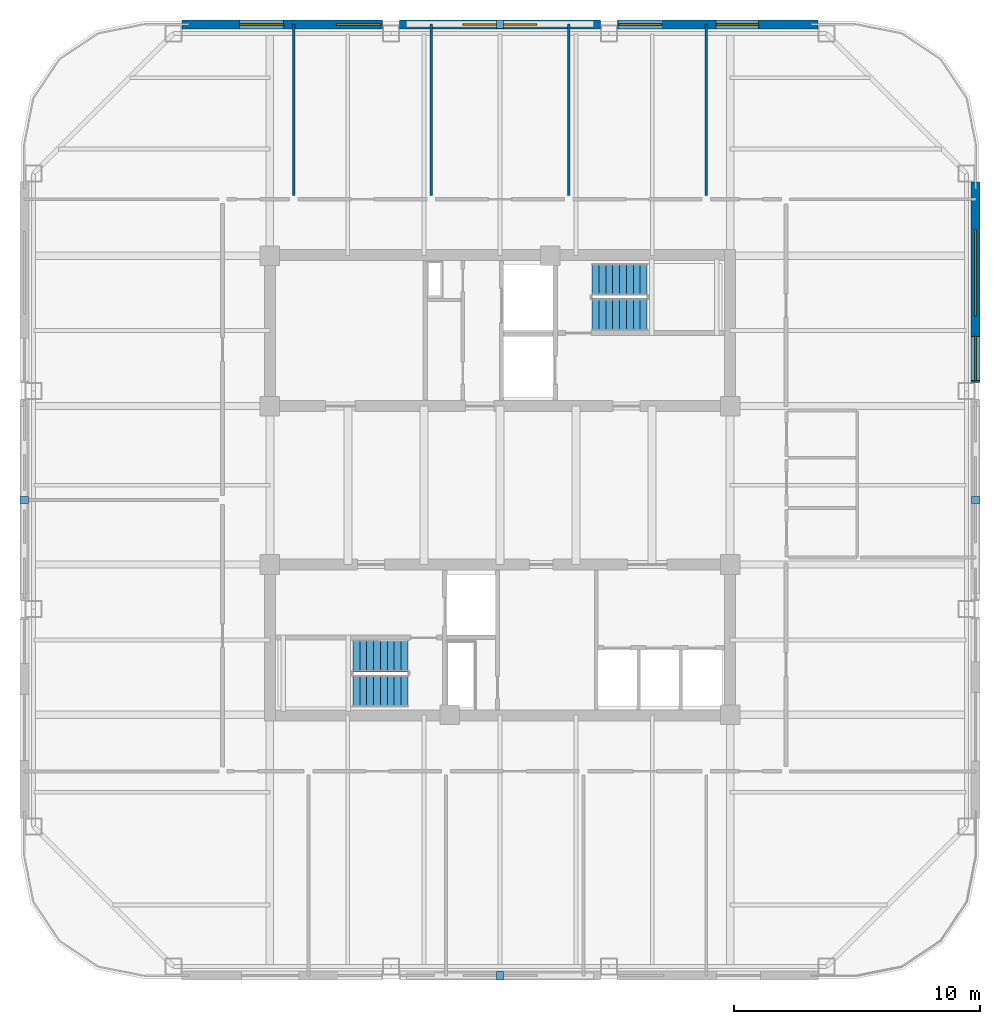
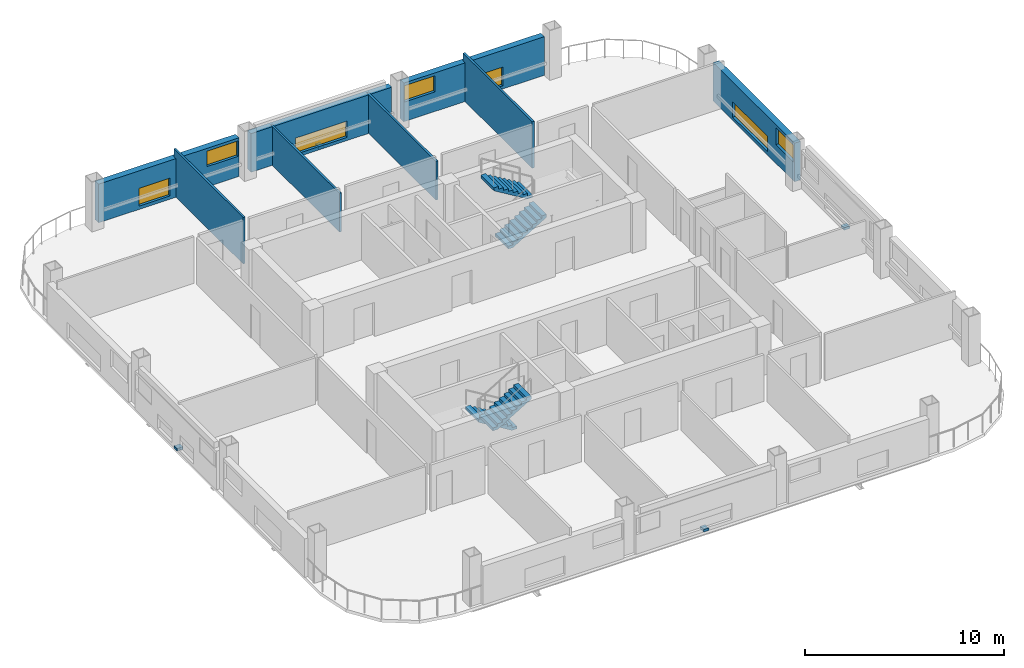
# One storey, part 5 of 8: 8 walls, 7 windows, 4 discrete accessories, 4 stair flights, 7 openings, 2 elements without a shape of their own.
"""IFC4 building model written with IfcOpenShell, lengths in metres."""

from ifc_helpers import new_model, si_unit, direction, frame, frame_2d, origin, origin_2d, place, context, subcontext, project, spatial, polyline, rectangle, outline, extrude, material, layer, layer_set, type_object, element, fill, aggregate, save


model = new_model("IFC4")

# Units and contexts
model_context = context("Model", 3, precision=1e-05, world=origin(), true_north=direction((0.0, 1.0)))
body_context = subcontext(model_context, "Body", "Model", "MODEL_VIEW")
ifc_project = project(units=[si_unit("LENGTHUNIT", "METRE"), si_unit("AREAUNIT", "SQUARE_METRE"), si_unit("VOLUMEUNIT", "CUBIC_METRE"), si_unit("PLANEANGLEUNIT", "RADIAN"), si_unit("MASSUNIT", "GRAM", prefix="KILO")], contexts=[model_context])

# Site, building, storey
site_placement = place(None, origin())
site = spatial("IfcSite", under=ifc_project, at=site_placement, CompositionType="ELEMENT")
building_placement = place(site_placement, origin())
building = spatial("IfcBuilding", under=site, at=building_placement, Name="Qhalaya Broadcast Tower", CompositionType="ELEMENT")
storey_placement = place(building_placement, frame((0.0, 0.0, 208.64990234375)))
storey = spatial("IfcBuildingStorey", under=building, at=storey_placement, Name="L61", CompositionType="ELEMENT", Elevation=208.64990234375)

# Wall, openings, windows
ifc_material_1 = material(Name="Precast Concrete C40/50", Category="concrete")
ifc_layer_1 = layer(ifc_material_1, 0.360107421875, Name="Precast Concrete C40/50")
ifc_layer_set_1 = layer_set([ifc_layer_1], Name="Precast Concrete C40/50")
wall_type_1 = type_object("IfcWallType", Name="Insulated Precast Terracotta Exterior Wall 360", PredefinedType="SOLIDWALL", material=ifc_layer_set_1)
wall_1_placement = place(storey_placement, frame((19.360107421875, 12.9619140625, 0.0), z_axis=(0.0, 0.0, 1.0), x_axis=(0.0, -1.0, 0.0)))
wall_1 = element("IfcWall", 1, at=wall_1_placement, inside=storey, type_object=wall_type_1, Name="L61 Exoskeleton Diagrid Infill Wall E1", PredefinedType="SOLIDWALL", context=body_context, shape_type="SweptSolid", body=[
    extrude(rectangle(XDim=8.1787109375, YDim=0.360107421875, at=frame_2d((4.08935546875, 0.0))), origin(), (0.0, 0.0, 1.0), 2.3740234375),
])
opening_1_placement = place(wall_1_placement, frame((1.949951171875, 0.0, 0.199951171875)))
opening_1 = element("IfcOpeningElement", 2, at=opening_1_placement, cuts=wall_1, Name="Opening W13", PredefinedType="OPENING", context=body_context, shape_type="SweptSolid", body=[
    extrude(rectangle(XDim=3.5, YDim=0.949951171875, at=frame_2d((1.75, 0.47509765625))), frame((0.0, 0.192138671875, 0.0), z_axis=(0.0, -1.0, 0.0), x_axis=(1.0, 0.0, 0.0)), (0.0, 0.0, 1.0), 0.384033203125),
])
opening_2_placement = place(wall_1_placement, frame((6.300048828125, 0.0, 1.14990234375)))
opening_2 = element("IfcOpeningElement", 3, at=opening_2_placement, cuts=wall_1, Name="Opening W13", PredefinedType="OPENING", context=body_context, shape_type="SweptSolid", body=[
    extrude(rectangle(XDim=1.800048828125, YDim=1.050048828125, at=frame_2d((0.89990234375, 0.52490234375))), frame((0.0, 0.192138671875, 0.0), z_axis=(0.0, -1.0, 0.0), x_axis=(1.0, 0.0, 0.0)), (0.0, 0.0, 1.0), 0.384033203125),
])
ifc_material_2 = material(Name="Solar-Control Low-E Triple Glazing", Category="glass")
window_type = type_object("IfcWindowType", Name="Upper-Block Diagrid Infill Window W13", PartitioningType="SINGLE_PANEL", PredefinedType="WINDOW", material=ifc_material_2)
window_1_placement = place(opening_1_placement, origin())
window_1 = element("IfcWindow", 4, at=window_1_placement, inside=storey, type_object=window_type, Name="L61 Diagrid Infill Window W13-E1", OverallHeight=0.949951171875, OverallWidth=3.5, PartitioningType="SINGLE_PANEL", PredefinedType="WINDOW", context=body_context, shape_type="SweptSolid", body=[
    extrude(rectangle(XDim=3.5, YDim=0.949951171875, at=frame_2d((1.75, 0.47509765625))), frame((0.0, 0.030029296875, 0.0), z_axis=(0.0, -1.0, 0.0), x_axis=(1.0, 0.0, 0.0)), (0.0, 0.0, 1.0), 0.06005859375),
])
fill(opening_1, window_1)
window_2_placement = place(opening_2_placement, origin())
window_2 = element("IfcWindow", 5, at=window_2_placement, inside=storey, type_object=window_type, Name="L61 Diagrid Infill Window W13-E2", OverallHeight=1.050048828125, OverallWidth=1.800048828125, PartitioningType="SINGLE_PANEL", PredefinedType="WINDOW", context=body_context, shape_type="SweptSolid", body=[
    extrude(rectangle(XDim=1.800048828125, YDim=1.050048828125, at=frame_2d((0.89990234375, 0.52490234375))), frame((0.0, 0.030029296875, 0.0), z_axis=(0.0, -1.0, 0.0), x_axis=(1.0, 0.0, 0.0)), (0.0, 0.0, 1.0), 0.06005859375),
])
fill(opening_2, window_2)

wall_2_placement = place(storey_placement, frame((-12.9619140625, 19.360107421875, 0.0), z_axis=(0.0, 0.0, 1.0), x_axis=(1.0, 0.0, 0.0)))
wall_2 = element("IfcWall", 6, at=wall_2_placement, inside=storey, type_object=wall_type_1, Name="L61 Exoskeleton Diagrid Infill Wall N1", PredefinedType="SOLIDWALL", context=body_context, shape_type="SweptSolid", body=[
    extrude(rectangle(XDim=8.1787109375, YDim=0.360107421875, at=frame_2d((4.08935546875, 0.0))), origin(), (0.0, 0.0, 1.0), 2.3740234375),
])
opening_3_placement = place(wall_2_placement, frame((2.35009765625, 0.0, 0.199951171875)))
opening_3 = element("IfcOpeningElement", 7, at=opening_3_placement, cuts=wall_2, Name="Opening W13", PredefinedType="OPENING", context=body_context, shape_type="SweptSolid", body=[
    extrude(rectangle(XDim=1.800048828125, YDim=1.10009765625, at=frame_2d((0.89990234375, 0.550048828125))), frame((0.0, 0.192138671875, 0.0), z_axis=(0.0, -1.0, 0.0), x_axis=(1.0, 0.0, 0.0)), (0.0, 0.0, 1.0), 0.384033203125),
])
opening_4_placement = place(wall_2_placement, frame((6.300048828125, 0.0, 1.25)))
opening_4 = element("IfcOpeningElement", 8, at=opening_4_placement, cuts=wall_2, Name="Opening W13", PredefinedType="OPENING", context=body_context, shape_type="SweptSolid", body=[
    extrude(rectangle(XDim=1.800048828125, YDim=0.949951171875, at=frame_2d((0.89990234375, 0.47509765625))), frame((0.0, 0.192138671875, 0.0), z_axis=(0.0, -1.0, 0.0), x_axis=(1.0, 0.0, 0.0)), (0.0, 0.0, 1.0), 0.384033203125),
])
window_3_placement = place(opening_3_placement, origin())
window_3 = element("IfcWindow", 9, at=window_3_placement, inside=storey, type_object=window_type, Name="L61 Diagrid Infill Window W13-N1", OverallHeight=1.10009765625, OverallWidth=1.800048828125, PartitioningType="SINGLE_PANEL", PredefinedType="WINDOW", context=body_context, shape_type="SweptSolid", body=[
    extrude(rectangle(XDim=1.800048828125, YDim=1.10009765625, at=frame_2d((0.89990234375, 0.550048828125))), frame((0.0, 0.030029296875, 0.0), z_axis=(0.0, -1.0, 0.0), x_axis=(1.0, 0.0, 0.0)), (0.0, 0.0, 1.0), 0.06005859375),
])
fill(opening_3, window_3)
window_4_placement = place(opening_4_placement, origin())
window_4 = element("IfcWindow", 10, at=window_4_placement, inside=storey, type_object=window_type, Name="L61 Diagrid Infill Window W13-N2", OverallHeight=0.949951171875, OverallWidth=1.800048828125, PartitioningType="SINGLE_PANEL", PredefinedType="WINDOW", context=body_context, shape_type="SweptSolid", body=[
    extrude(rectangle(XDim=1.800048828125, YDim=0.949951171875, at=frame_2d((0.89990234375, 0.47509765625))), frame((0.0, 0.030029296875, 0.0), z_axis=(0.0, -1.0, 0.0), x_axis=(1.0, 0.0, 0.0)), (0.0, 0.0, 1.0), 0.06005859375),
])
fill(opening_4, window_4)

# Wall, opening, window
wall_3_placement = place(storey_placement, frame((-4.083251953125, 19.360107421875, 0.0), z_axis=(0.0, 0.0, 1.0), x_axis=(1.0, 0.0, 0.0)))
wall_3 = element("IfcWall", 11, at=wall_3_placement, inside=storey, type_object=wall_type_1, Name="L61 Exoskeleton Diagrid Infill Wall N2", PredefinedType="SOLIDWALL", context=body_context, shape_type="SweptSolid", body=[
    extrude(rectangle(XDim=8.16650390625, YDim=0.360107421875, at=frame_2d((4.083251953125, 0.0))), origin(), (0.0, 0.0, 1.0), 2.3740234375),
])
opening_5_placement = place(wall_3_placement, frame((2.571044921875, 0.0, 0.199951171875)))
opening_5 = element("IfcOpeningElement", 12, at=opening_5_placement, cuts=wall_3, Name="Opening W13", PredefinedType="OPENING", context=body_context, shape_type="SweptSolid", body=[
    extrude(rectangle(XDim=3.0, YDim=1.0, at=frame_2d((1.5, 0.5))), frame((0.0, 0.192138671875, 0.0), z_axis=(0.0, -1.0, 0.0), x_axis=(1.0, 0.0, 0.0)), (0.0, 0.0, 1.0), 0.384033203125),
])
window_5_placement = place(opening_5_placement, origin())
window_5 = element("IfcWindow", 13, at=window_5_placement, inside=storey, type_object=window_type, Name="L61 Diagrid Infill Window W13-N3", OverallHeight=1.0, OverallWidth=3.0, PartitioningType="SINGLE_PANEL", PredefinedType="WINDOW", context=body_context, shape_type="SweptSolid", body=[
    extrude(rectangle(XDim=3.0, YDim=1.0, at=frame_2d((1.5, 0.5))), frame((0.0, 0.030029296875, 0.0), z_axis=(0.0, -1.0, 0.0), x_axis=(1.0, 0.0, 0.0)), (0.0, 0.0, 1.0), 0.06005859375),
])
fill(opening_5, window_5)

# Wall, openings, windows
wall_4_placement = place(storey_placement, frame((4.783203125, 19.360107421875, 0.0), z_axis=(0.0, 0.0, 1.0), x_axis=(1.0, 0.0, 0.0)))
wall_4 = element("IfcWall", 14, at=wall_4_placement, inside=storey, type_object=wall_type_1, Name="L61 Exoskeleton Diagrid Infill Wall N3", PredefinedType="SOLIDWALL", context=body_context, shape_type="SweptSolid", body=[
    extrude(rectangle(XDim=8.1787109375, YDim=0.360107421875, at=frame_2d((4.08935546875, 0.0))), origin(), (0.0, 0.0, 1.0), 2.3740234375),
])
opening_6_placement = place(wall_4_placement, frame((0.054931640625, 0.0, 1.199951171875)))
opening_6 = element("IfcOpeningElement", 15, at=opening_6_placement, cuts=wall_4, Name="Opening W13", PredefinedType="OPENING", context=body_context, shape_type="SweptSolid", body=[
    extrude(rectangle(XDim=1.75, YDim=1.0, at=frame_2d((0.875, 0.5))), frame((0.0, 0.192138671875, 0.0), z_axis=(0.0, -1.0, 0.0), x_axis=(1.0, 0.0, 0.0)), (0.0, 0.0, 1.0), 0.384033203125),
])
opening_7_placement = place(wall_4_placement, frame((4.0048828125, 0.0, 0.199951171875)))
opening_7 = element("IfcOpeningElement", 16, at=opening_7_placement, cuts=wall_4, Name="Opening W13", PredefinedType="OPENING", context=body_context, shape_type="SweptSolid", body=[
    extrude(rectangle(XDim=1.75, YDim=1.14990234375, at=frame_2d((0.875, 0.574951171875))), frame((0.0, 0.192138671875, 0.0), z_axis=(0.0, -1.0, 0.0), x_axis=(1.0, 0.0, 0.0)), (0.0, 0.0, 1.0), 0.384033203125),
])
window_6_placement = place(opening_6_placement, origin())
window_6 = element("IfcWindow", 17, at=window_6_placement, inside=storey, type_object=window_type, Name="L61 Diagrid Infill Window W13-N4", OverallHeight=1.0, OverallWidth=1.75, PartitioningType="SINGLE_PANEL", PredefinedType="WINDOW", context=body_context, shape_type="SweptSolid", body=[
    extrude(rectangle(XDim=1.75, YDim=1.0, at=frame_2d((0.875, 0.5))), frame((0.0, 0.030029296875, 0.0), z_axis=(0.0, -1.0, 0.0), x_axis=(1.0, 0.0, 0.0)), (0.0, 0.0, 1.0), 0.06005859375),
])
fill(opening_6, window_6)
window_7_placement = place(opening_7_placement, origin())
window_7 = element("IfcWindow", 18, at=window_7_placement, inside=storey, type_object=window_type, Name="L61 Diagrid Infill Window W13-N5", OverallHeight=1.14990234375, OverallWidth=1.75, PartitioningType="SINGLE_PANEL", PredefinedType="WINDOW", context=body_context, shape_type="SweptSolid", body=[
    extrude(rectangle(XDim=1.75, YDim=1.14990234375, at=frame_2d((0.875, 0.574951171875))), frame((0.0, 0.030029296875, 0.0), z_axis=(0.0, -1.0, 0.0), x_axis=(1.0, 0.0, 0.0)), (0.0, 0.0, 1.0), 0.06005859375),
])
fill(opening_7, window_7)

# Walls
ifc_material_3 = material(Name="Gypsum Acoustic Partition")
ifc_layer_2 = layer(ifc_material_3, 0.1201171875, Name="Gypsum Acoustic Partition")
ifc_layer_set_2 = layer_set([ifc_layer_2], Name="Gypsum Acoustic Partition")
wall_type_2 = type_object("IfcWallType", Name="Office, Booth & Sanitary Partition 120", PredefinedType="PARTITIONING", material=ifc_layer_set_2)
wall_5_placement = place(storey_placement, frame((-8.39990234375, 12.409912109375, 0.0), z_axis=(0.0, 0.0, 1.0), x_axis=(0.0, 1.0, 0.0)))
element("IfcWall", 19, at=wall_5_placement, inside=storey, type_object=wall_type_2, Name="L61 Partition Wall W-DIVN1", PredefinedType="PARTITIONING", context=body_context, shape_type="SweptSolid", body=[
    extrude(rectangle(XDim=6.969970703125, YDim=0.1201171875, at=frame_2d((3.48486328125, 0.0))), origin(), (0.0, 0.0, 1.0), 2.860107421875),
])
for number, where, z_axis, x_axis, name in (
    (20, (-2.800048828125, 12.409912109375, 0.0), (0.0, 0.0, 1.0), (0.0, 1.0, 0.0), "L61 Partition Wall W-DIVN2"),
    (21, (2.800048828125, 12.409912109375, 0.0), (0.0, 0.0, 1.0), (0.0, 1.0, 0.0), "L61 Partition Wall W-DIVN3"),
):
    element("IfcWall", number, at=place(storey_placement, frame(where, z_axis=z_axis, x_axis=x_axis)), inside=storey, type_object=wall_type_2, Name=name, PredefinedType="PARTITIONING", context=body_context, shape_type="SweptSolid", body=[
        extrude(rectangle(XDim=6.969970703125, YDim=0.1201171875, at=frame_2d((3.48486328125, 0.0))), origin(), (0.0, 0.0, 1.0), 2.381103515625),
    ])
wall_6_placement = place(storey_placement, frame((8.39990234375, 12.409912109375, 0.0), z_axis=(0.0, 0.0, 1.0), x_axis=(0.0, 1.0, 0.0)))
element("IfcWall", 22, at=wall_6_placement, inside=storey, type_object=wall_type_2, Name="L61 Partition Wall W-DIVN4", PredefinedType="PARTITIONING", context=body_context, shape_type="SweptSolid", body=[
    extrude(rectangle(XDim=6.969970703125, YDim=0.1201171875, at=frame_2d((3.48486328125, 0.0))), origin(), (0.0, 0.0, 1.0), 2.860107421875),
])

# Stair, stair flights
ifc_material_4 = material(Name="Concrete C40/50", Category="concrete")
stair_type = type_object("IfcStairType", Name="Protected Dogleg Core Stair 3150", PredefinedType="TWO_STRAIGHT_RUN_STAIR", material=ifc_material_4)
stair_1_placement = place(storey_placement, origin())
stair_1 = element("IfcStair", 23, at=stair_1_placement, inside=storey, type_object=stair_type, Name="L61 North Core Exit Stair ST-1", PredefinedType="TWO_STRAIGHT_RUN_STAIR")
stair_flight_type = type_object("IfcStairFlightType", Name="Precast Concrete Stair Flight 3150", PredefinedType="STRAIGHT", material=ifc_material_1)
stair_flight_1_placement = place(storey_placement, frame((3.75, 7.5400390625, 0.0), z_axis=(0.0, 0.0, 1.0), x_axis=(1.0, 0.0, 0.0)))
stair_flight_1 = element("IfcStairFlight", 24, at=stair_flight_1_placement, type_object=stair_flight_type, Name="ST-1 flight 1", NumberOfRisers=9, NumberOfTreads=8, PredefinedType="STRAIGHT", RiserHeight=0.169444444, TreadLength=0.28, context=body_context, shape_type="SweptSolid", body=[
    extrude(outline(polyline([(0.0, 0.0), (0.0, 0.16943359375), (0.280029296875, 0.16943359375), (0.280029296875, 0.3388671875), (0.56005859375, 0.3388671875), (0.56005859375, 0.50830078125), (0.840087890625, 0.50830078125), (0.840087890625, 0.677734375), (1.1201171875, 0.677734375), (1.1201171875, 0.84716796875), (1.39990234375, 0.84716796875), (1.39990234375, 1.0166015625), (1.679931640625, 1.0166015625), (1.679931640625, 1.18603515625), (1.9599609375, 1.18603515625), (1.9599609375, 1.35546875), (2.239990234375, 1.35546875), (2.239990234375, 1.52490234375), (2.239990234375, 1.180419921875), (0.28955078125, 0.0), (0.0, 0.0)])), frame((0.0, 0.66015625, 0.0), z_axis=(0.0, -1.0, 0.0), x_axis=(1.0, 0.0, 0.0)), (0.0, 0.0, 1.0), 1.320068359375),
])
stair_flight_2_placement = place(storey_placement, frame((5.989990234375, 8.97998046875, 1.525146484375), z_axis=(0.0, 0.0, 1.0), x_axis=(-1.0, 0.0, 0.0)))
stair_flight_2 = element("IfcStairFlight", 25, at=stair_flight_2_placement, type_object=stair_flight_type, Name="ST-1 flight 2", NumberOfRisers=9, NumberOfTreads=8, PredefinedType="STRAIGHT", RiserHeight=0.169444444, TreadLength=0.28, context=body_context, shape_type="SweptSolid", body=[
    extrude(outline(polyline([(0.0, 0.0), (0.0, 0.16943359375), (0.280029296875, 0.16943359375), (0.280029296875, 0.3388671875), (0.56005859375, 0.3388671875), (0.56005859375, 0.50830078125), (0.840087890625, 0.50830078125), (0.840087890625, 0.677734375), (1.1201171875, 0.677734375), (1.1201171875, 0.84716796875), (1.39990234375, 0.84716796875), (1.39990234375, 1.0166015625), (1.679931640625, 1.0166015625), (1.679931640625, 1.18603515625), (1.9599609375, 1.18603515625), (1.9599609375, 1.35546875), (2.239990234375, 1.35546875), (2.239990234375, 1.52490234375), (2.239990234375, 1.180419921875), (0.28955078125, 0.0), (0.0, 0.0)])), frame((0.0, 0.66015625, 0.0), z_axis=(0.0, -1.0, 0.0), x_axis=(1.0, 0.0, 0.0)), (0.0, 0.0, 1.0), 1.320068359375),
])
aggregate(stair_1, [stair_flight_1, stair_flight_2])

stair_2_placement = place(storey_placement, origin())
stair_2 = element("IfcStair", 26, at=stair_2_placement, inside=storey, type_object=stair_type, Name="L61 South Core Exit Stair ST-2", PredefinedType="TWO_STRAIGHT_RUN_STAIR")
stair_flight_3_placement = place(storey_placement, frame((-3.75, -6.340087890625, 0.0), z_axis=(0.0, 0.0, 1.0), x_axis=(-1.0, 0.0, 0.0)))
stair_flight_3 = element("IfcStairFlight", 27, at=stair_flight_3_placement, type_object=stair_flight_type, Name="ST-2 flight 1", NumberOfRisers=9, NumberOfTreads=8, PredefinedType="STRAIGHT", RiserHeight=0.169444444, TreadLength=0.28, context=body_context, shape_type="SweptSolid", body=[
    extrude(outline(polyline([(0.0, 0.0), (0.0, 0.16943359375), (0.280029296875, 0.16943359375), (0.280029296875, 0.3388671875), (0.56005859375, 0.3388671875), (0.56005859375, 0.50830078125), (0.840087890625, 0.50830078125), (0.840087890625, 0.677734375), (1.1201171875, 0.677734375), (1.1201171875, 0.84716796875), (1.39990234375, 0.84716796875), (1.39990234375, 1.0166015625), (1.679931640625, 1.0166015625), (1.679931640625, 1.18603515625), (1.9599609375, 1.18603515625), (1.9599609375, 1.35546875), (2.239990234375, 1.35546875), (2.239990234375, 1.52490234375), (2.239990234375, 1.180419921875), (0.28955078125, 0.0), (0.0, 0.0)])), frame((0.0, 0.66015625, 0.0), z_axis=(0.0, -1.0, 0.0), x_axis=(1.0, 0.0, 0.0)), (0.0, 0.0, 1.0), 1.320068359375),
])
stair_flight_4_placement = place(storey_placement, frame((-5.989990234375, -7.780029296875, 1.525146484375), z_axis=(0.0, 0.0, 1.0), x_axis=(1.0, 0.0, 0.0)))
stair_flight_4 = element("IfcStairFlight", 28, at=stair_flight_4_placement, type_object=stair_flight_type, Name="ST-2 flight 2", NumberOfRisers=9, NumberOfTreads=8, PredefinedType="STRAIGHT", RiserHeight=0.169444444, TreadLength=0.28, context=body_context, shape_type="SweptSolid", body=[
    extrude(outline(polyline([(0.0, 0.0), (0.0, 0.16943359375), (0.280029296875, 0.16943359375), (0.280029296875, 0.3388671875), (0.56005859375, 0.3388671875), (0.56005859375, 0.50830078125), (0.840087890625, 0.50830078125), (0.840087890625, 0.677734375), (1.1201171875, 0.677734375), (1.1201171875, 0.84716796875), (1.39990234375, 0.84716796875), (1.39990234375, 1.0166015625), (1.679931640625, 1.0166015625), (1.679931640625, 1.18603515625), (1.9599609375, 1.18603515625), (1.9599609375, 1.35546875), (2.239990234375, 1.35546875), (2.239990234375, 1.52490234375), (2.239990234375, 1.180419921875), (0.28955078125, 0.0), (0.0, 0.0)])), frame((0.0, 0.66015625, 0.0), z_axis=(0.0, -1.0, 0.0), x_axis=(1.0, 0.0, 0.0)), (0.0, 0.0, 1.0), 1.320068359375),
])
aggregate(stair_2, [stair_flight_3, stair_flight_4])

# Discrete accessories
ifc_material_5 = material(Name="Structural Steel ASTM A572 Grade 50", Category="steel")
discrete_accessory_type = type_object("IfcDiscreteAccessoryType", Name="Facade Baguette Support Bracket BRK-01", PredefinedType="BRACKET", material=ifc_material_5)
for number, where, z_axis, x_axis, name in (
    (29, (0.0, -19.3798828125, 0.0), (0.0, 0.0, 1.0), (1.0, 0.0, 0.0), "L61 Baguette Support Bracket S"),
    (30, (19.3798828125, 0.0, 0.0), (0.0, 0.0, 1.0), (0.0, 1.0, 0.0), "L61 Baguette Support Bracket E"),
    (31, (0.0, 19.3798828125, 0.0), (0.0, 0.0, 1.0), (-1.0, 0.0, 0.0), "L61 Baguette Support Bracket N"),
    (32, (-19.3798828125, 0.0, 0.0), (0.0, 0.0, 1.0), (0.0, -1.0, 0.0), "L61 Baguette Support Bracket W"),
):
    element("IfcDiscreteAccessory", number, at=place(storey_placement, frame(where, z_axis=z_axis, x_axis=x_axis)), inside=storey, type_object=discrete_accessory_type, Name=name, PredefinedType="BRACKET", context=body_context, shape_type="SweptSolid", body=[
        extrude(rectangle(XDim=0.300048828125, YDim=0.340087890625, at=origin_2d()), origin(), (0.0, 0.0, 1.0), 0.159912109375),
    ])

save(model, "model.ifc")
